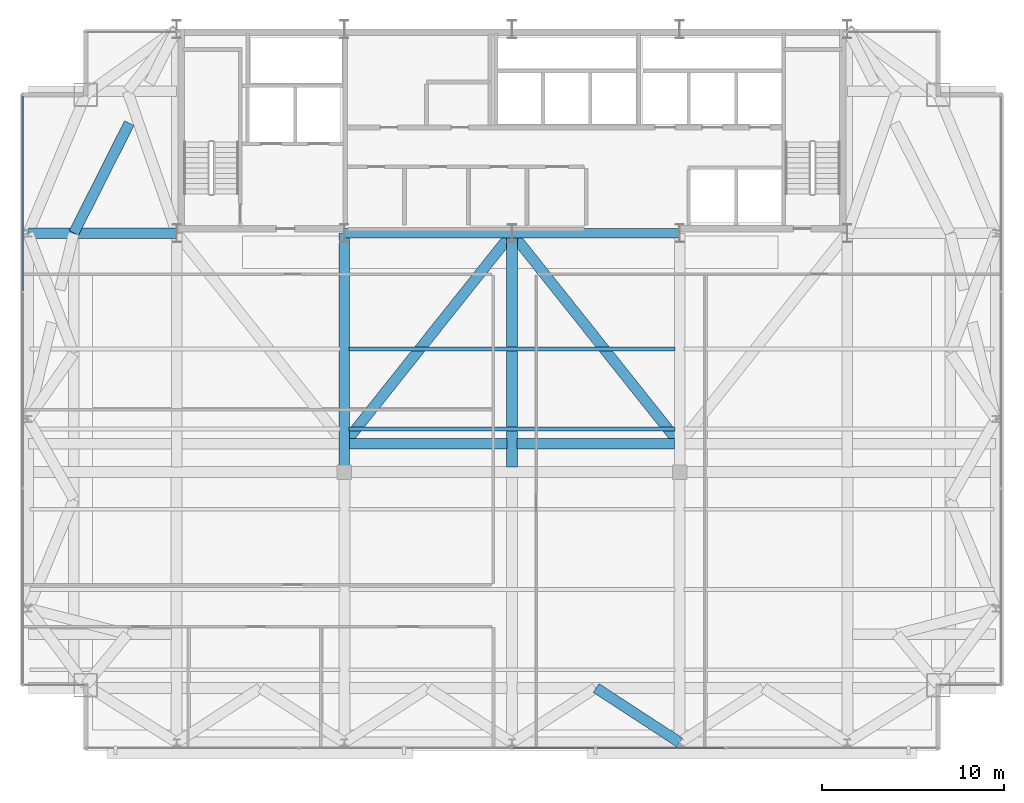
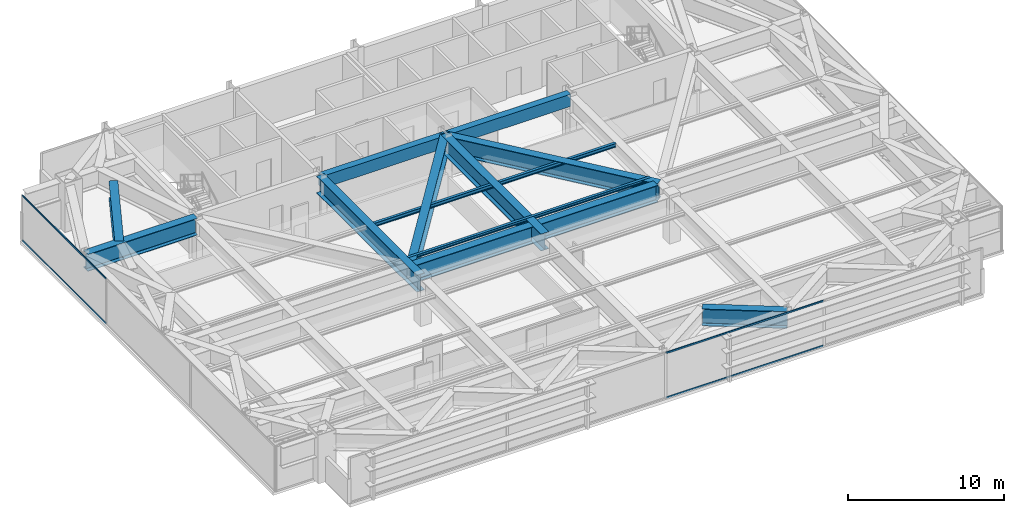
# One storey, part 12 of 26: 13 beams, 4 members, 2 elements without a shape of their own.
"""IFC4 building model written with IfcOpenShell, lengths in metres."""

from ifc_helpers import new_model, si_unit, direction, frame, origin, origin_2d, place, context, subcontext, project, spatial, rectangle, hollow_rectangle, i_section, extrude, source, transform, mapped, material, layer, layer_set, material_profile, profile_set, type_object, type_shapes, element, aggregate, save


model = new_model("IFC4")

# Units and contexts
model_context = context("Model", 3, precision=1e-05, world=origin(), true_north=direction((0.0, 1.0)))
body_context = subcontext(model_context, "Body", "Model", "MODEL_VIEW")
ifc_project = project(units=[si_unit("LENGTHUNIT", "METRE"), si_unit("AREAUNIT", "SQUARE_METRE"), si_unit("VOLUMEUNIT", "CUBIC_METRE"), si_unit("PLANEANGLEUNIT", "RADIAN"), si_unit("MASSUNIT", "GRAM", prefix="KILO")], contexts=[model_context])

# Site, building, storey
site_placement = place(None, origin())
site = spatial("IfcSite", under=ifc_project, at=site_placement, CompositionType="ELEMENT")
building_placement = place(site_placement, origin())
building = spatial("IfcBuilding", under=site, at=building_placement, Name="Varnel Quay Broadcast Tower", CompositionType="ELEMENT")
storey_placement = place(building_placement, frame((0.0, 0.0, 196.0)))
storey = spatial("IfcBuildingStorey", under=building, at=storey_placement, Name="L48", CompositionType="ELEMENT", Elevation=196.0)

# Beams
ifc_material_1 = material(Name="Structural Steel CSA G40.21 350WT", Category="steel")
ifc_material_profile_1 = material_profile(ifc_material_1, i_section(OverallWidth=0.580078125, OverallDepth=1.330078125, WebThickness=0.02197265625, FlangeThickness=0.0380859375, FilletRadius=0.02001953125, at=origin_2d()), Name="WWF1330X535")
ifc_profile_set_1 = profile_set([ifc_material_profile_1], Name="Structural Steel CSA G40.21 350WT")
beam_type_1 = type_object("IfcBeamType", Name="Girder_WWF1330X535", PredefinedType="BEAM", material=ifc_profile_set_1)
shared_shape_1 = source(origin(), body_context, "Body", "SweptSolid", [
    extrude(i_section(OverallWidth=0.580078125, OverallDepth=1.330078125, WebThickness=0.02197265625, FlangeThickness=0.0380859375, FilletRadius=0.02001953125, at=origin_2d()), origin(), (0.0, 0.0, 1.0), 8.630126953125),
])
for number, where, z_axis, x_axis, name in (
    (1, (25.0849609375, 24.050048828125, 2.885009765625), (1.0, 0.0, 0.0), (0.0, 1.0, 0.0), "L48 Setback Interior Column Transfer 3"),
    (2, (34.284912109375, 24.050048828125, 2.885009765625), (1.0, 0.0, 0.0), (0.0, 1.0, 0.0), "L48 Setback Interior Column Transfer 4"),
):
    element("IfcBeam", number, at=place(storey_placement, frame(where, z_axis=z_axis, x_axis=x_axis)), inside=storey, type_object=beam_type_1, Name=name, PredefinedType="BEAM", context=body_context, shape_type="MappedRepresentation", body=[
        mapped(shared_shape_1, transform((0.0, 0.0, 0.0), x_axis=(1.0, 0.0, 0.0), y_axis=(0.0, 1.0, 0.0), z_axis=(0.0, 0.0, 1.0), scale=1.0)),
    ])
ifc_material_2 = material(Name="Structural Steel CSA G40.21 350W", Category="steel")
ifc_material_profile_2 = material_profile(ifc_material_2, i_section(OverallWidth=0.202880859375, OverallDepth=0.302978515625, WebThickness=0.007568359375, FlangeThickness=0.01318359375, FilletRadius=0.011962890625, at=origin_2d()), Name="W310X60")
ifc_profile_set_2 = profile_set([ifc_material_profile_2], Name="Structural Steel CSA G40.21 350W")
beam_type_2 = type_object("IfcBeamType", Name="Beam_W310X60", PredefinedType="JOIST", material=ifc_profile_set_2)
shared_shape_2 = source(origin(), body_context, "Body", "SweptSolid", [
    extrude(i_section(OverallWidth=0.202880859375, OverallDepth=0.302978515625, WebThickness=0.007568359375, FlangeThickness=0.01318359375, FilletRadius=0.011962890625, at=origin_2d()), origin(), (0.0, 0.0, 1.0), 17.91015625),
])
type_shapes(beam_type_2, [shared_shape_2])
beam_1_placement = place(storey_placement, frame((25.044921875, 29.25, 3.3984375), z_axis=(1.0, 0.0, 0.0), x_axis=(0.0, 1.0, 0.0)))
element("IfcBeam", 3, at=beam_1_placement, inside=storey, type_object=beam_type_2, Name="L48 Central Floor Joist 5", PredefinedType="JOIST", context=body_context, shape_type="MappedRepresentation", body=[
    mapped(shared_shape_2, transform((0.0, 0.0, 0.0), x_axis=(1.0, 0.0, 0.0), y_axis=(0.0, 1.0, 0.0), z_axis=(0.0, 0.0, 1.0), scale=1.0)),
])
ifc_material_profile_3 = material_profile(ifc_material_2, i_section(OverallWidth=0.201904296875, OverallDepth=0.2470703125, WebThickness=0.00732421875, FlangeThickness=0.010986328125, FilletRadius=0.010986328125, at=origin_2d()), Name="W250X49")
ifc_profile_set_3 = profile_set([ifc_material_profile_3], Name="Structural Steel CSA G40.21 350W")
beam_type_3 = type_object("IfcBeamType", Name="Beam_W250X49", PredefinedType="JOIST", material=ifc_profile_set_3)
shared_shape_3 = source(origin(), body_context, "Body", "SweptSolid", [
    extrude(i_section(OverallWidth=0.201904296875, OverallDepth=0.2470703125, WebThickness=0.00732421875, FlangeThickness=0.010986328125, FilletRadius=0.010986328125, at=origin_2d()), origin(), (0.0, 0.0, 1.0), 17.91015625),
])
type_shapes(beam_type_3, [shared_shape_3])
beam_2_placement = place(storey_placement, frame((25.044921875, 24.85009765625, 3.426513671875), z_axis=(1.0, 0.0, 0.0), x_axis=(0.0, 1.0, 0.0)))
element("IfcBeam", 4, at=beam_2_placement, inside=storey, type_object=beam_type_3, Name="L48 Central Floor Joist 4", PredefinedType="JOIST", context=body_context, shape_type="MappedRepresentation", body=[
    mapped(shared_shape_3, transform((0.0, 0.0, 0.0), x_axis=(1.0, 0.0, 0.0), y_axis=(0.0, 1.0, 0.0), z_axis=(0.0, 0.0, 1.0), scale=1.0)),
])
ifc_material_3 = material(Name="Concrete CSA A23.3 C50/60", Category="concrete")
ifc_material_profile_4 = material_profile(ifc_material_3, rectangle(XDim=0.5, YDim=0.949951171875, at=origin_2d()), Name="RC500X950")
ifc_profile_set_4 = profile_set([ifc_material_profile_4], Name="Concrete CSA A23.3 C50/60")
beam_type_4 = type_object("IfcBeamType", Name="Beam_RC500X950", PredefinedType="BEAM", material=ifc_profile_set_4)
shared_shape_4 = source(origin(), body_context, "Body", "SweptSolid", [
    extrude(rectangle(XDim=0.5, YDim=0.949951171875, at=origin_2d()), origin(), (0.0, 0.0, 1.0), 9.159912109375),
])
type_shapes(beam_type_4, [shared_shape_4])
for number, where, z_axis, x_axis, name in (
    (5, (24.820068359375, 35.60009765625, 3.074951171875), (1.0, 0.0, 0.0), (0.0, 1.0, 0.0), "L48 Core Coupling Beam W"),
    (6, (34.02001953125, 35.60009765625, 3.074951171875), (1.0, 0.0, 0.0), (0.0, 1.0, 0.0), "L48 Core Coupling Beam E"),
):
    element("IfcBeam", number, at=place(storey_placement, frame(where, z_axis=z_axis, x_axis=x_axis)), inside=storey, type_object=beam_type_4, Name=name, PredefinedType="BEAM", context=body_context, shape_type="MappedRepresentation", body=[
        mapped(shared_shape_4, transform((0.0, 0.0, 0.0), x_axis=(1.0, 0.0, 0.0), y_axis=(0.0, 1.0, 0.0), z_axis=(0.0, 0.0, 1.0), scale=1.0)),
    ])
shared_shape_5 = source(origin(), body_context, "Body", "SweptSolid", [
    extrude(i_section(OverallWidth=0.580078125, OverallDepth=1.330078125, WebThickness=0.02197265625, FlangeThickness=0.0380859375, FilletRadius=0.02001953125, at=origin_2d()), origin(), (0.0, 0.0, 1.0), 8.110107421875),
])
beam_3_placement = place(storey_placement, frame((7.469970703125, 35.60009765625, 2.885009765625), z_axis=(1.0, 0.0, 0.0), x_axis=(0.0, 1.0, 0.0)))
element("IfcBeam", 7, at=beam_3_placement, inside=storey, type_object=beam_type_1, Name="L48 West Core Tie Transfer", PredefinedType="BEAM", context=body_context, shape_type="MappedRepresentation", body=[
    mapped(shared_shape_5, transform((0.0, 0.0, 0.0), x_axis=(1.0, 0.0, 0.0), y_axis=(0.0, 1.0, 0.0), z_axis=(0.0, 0.0, 1.0), scale=1.0)),
])
shared_shape_6 = source(origin(), body_context, "Body", "SweptSolid", [
    extrude(i_section(OverallWidth=0.580078125, OverallDepth=1.330078125, WebThickness=0.02197265625, FlangeThickness=0.0380859375, FilletRadius=0.02001953125, at=origin_2d()), origin(), (0.0, 0.0, 1.0), 12.80517578125),
])
for number, where, z_axis, x_axis, name in (
    (8, (24.800048828125, 22.77490234375, 2.885009765625), (0.0, 1.0, 0.0), (-1.0, 0.0, 0.0), "L48 N-S Transfer Girder 2B"),
    (9, (34.0, 22.77490234375, 2.885009765625), (0.0, 1.0, 0.0), (-1.0, 0.0, 0.0), "L48 N-S Transfer Girder 3B"),
):
    element("IfcBeam", number, at=place(storey_placement, frame(where, z_axis=z_axis, x_axis=x_axis)), inside=storey, type_object=beam_type_1, Name=name, PredefinedType="BEAM", context=body_context, shape_type="MappedRepresentation", body=[
        mapped(shared_shape_6, transform((0.0, 0.0, 0.0), x_axis=(1.0, 0.0, 0.0), y_axis=(0.0, 1.0, 0.0), z_axis=(0.0, 0.0, 1.0), scale=1.0)),
    ])
shared_shape_7 = source(origin(), body_context, "Body", "SweptSolid", [
    extrude(i_section(OverallWidth=0.580078125, OverallDepth=1.330078125, WebThickness=0.02197265625, FlangeThickness=0.0380859375, FilletRadius=0.02001953125, at=origin_2d()), origin(), (0.0, 0.0, 1.0), 5.451904296875),
])
beam_4_placement = place(storey_placement, frame((43.18310546875, 7.660888671875, 2.885009765625), z_axis=(-0.837595451539, 0.546291002637, 0.0), x_axis=(-0.546291002637, -0.837595451539, 0.0)))
element("IfcBeam", 10, at=beam_4_placement, inside=storey, type_object=beam_type_1, Name="L48 Nodal Transfer Tie TC-S3-TC-S4", PredefinedType="BEAM", context=body_context, shape_type="MappedRepresentation", body=[
    mapped(shared_shape_7, transform((0.0, 0.0, 0.0), x_axis=(1.0, 0.0, 0.0), y_axis=(0.0, 1.0, 0.0), z_axis=(0.0, 0.0, 1.0), scale=1.0)),
])
shared_shape_8 = source(origin(), body_context, "Body", "SweptSolid", [
    extrude(i_section(OverallWidth=0.580078125, OverallDepth=1.330078125, WebThickness=0.02197265625, FlangeThickness=0.0380859375, FilletRadius=0.02001953125, at=origin_2d()), origin(), (0.0, 0.0, 1.0), 14.726318359375),
])
for number, where, z_axis, x_axis, name in (
    (11, (33.987548828125, 35.58447265625, 2.885009765625), (-0.623037811648, -0.78219171899, 0.0), (0.78219171899, -0.623037811648, 0.0), "L48 Nodal Transfer Tie IC-01-CC-S3"),
    (12, (34.012451171875, 35.58447265625, 2.885009765625), (0.623037811648, -0.78219171899, 0.0), (0.78219171899, 0.623037811648, 0.0), "L48 Nodal Transfer Tie IC-02-CC-S3"),
):
    element("IfcBeam", number, at=place(storey_placement, frame(where, z_axis=z_axis, x_axis=x_axis)), inside=storey, type_object=beam_type_1, Name=name, PredefinedType="BEAM", context=body_context, shape_type="MappedRepresentation", body=[
        mapped(shared_shape_8, transform((0.0, 0.0, 0.0), x_axis=(1.0, 0.0, 0.0), y_axis=(0.0, 1.0, 0.0), z_axis=(0.0, 0.0, 1.0), scale=1.0)),
    ])
shared_shape_9 = source(origin(), body_context, "Body", "SweptSolid", [
    extrude(i_section(OverallWidth=0.580078125, OverallDepth=1.330078125, WebThickness=0.02197265625, FlangeThickness=0.0380859375, FilletRadius=0.02001953125, at=origin_2d()), origin(), (0.0, 0.0, 1.0), 6.74072265625),
])
type_shapes(beam_type_1, [shared_shape_1, shared_shape_5, shared_shape_6, shared_shape_7, shared_shape_8, shared_shape_9])
beam_5_placement = place(storey_placement, frame((12.9951171875, 41.63623046875, 2.885009765625), z_axis=(-0.450412439792, -0.892820605766, 0.0), x_axis=(0.892820605766, -0.450412439792, 0.0)))
element("IfcBeam", 13, at=beam_5_placement, inside=storey, type_object=beam_type_1, Name="L48 X-Braced Transfer Tie TC-W3-CC-N1 Part 2", PredefinedType="BEAM", context=body_context, shape_type="MappedRepresentation", body=[
    mapped(shared_shape_9, transform((0.0, 0.0, 0.0), x_axis=(1.0, 0.0, 0.0), y_axis=(0.0, 1.0, 0.0), z_axis=(0.0, 0.0, 1.0), scale=1.0)),
])

# Curtain wall, members
ifc_material_4 = material(Name="Anodised Bronze Aluminium 6063-T6", Category="aluminium")
ifc_layer = layer(ifc_material_4, 0.18994140625, Name="Anodised Bronze Aluminium 6063-T6")
ifc_layer_set = layer_set([ifc_layer], Name="Anodised Bronze Aluminium 6063-T6")
curtain_wall_type = type_object("IfcCurtainWallType", Name="CW_UpperTower", PredefinedType="NOTDEFINED", material=ifc_layer_set)
curtain_wall_1_placement = place(storey_placement, origin())
curtain_wall_1 = element("IfcCurtainWall", 14, at=curtain_wall_1_placement, inside=storey, type_object=curtain_wall_type, Name="L48 West Unitised Curtain Wall", PredefinedType="NOTDEFINED")
ifc_material_profile_5 = material_profile(ifc_material_4, hollow_rectangle(XDim=0.06005859375, YDim=0.125, WallThickness=0.0029296875, at=origin_2d()), Name="ALU60X125X3")
ifc_profile_set_5 = profile_set([ifc_material_profile_5], Name="Anodised Bronze Aluminium 6063-T6")
member_type = type_object("IfcMemberType", Name="Tran_CWS-03", PredefinedType="USERDEFINED", material=ifc_profile_set_5)
shared_shape_10 = source(origin(), body_context, "Body", "SweptSolid", [
    extrude(hollow_rectangle(XDim=0.06005859375, YDim=0.125, WallThickness=0.0029296875, at=origin_2d()), origin(), (0.0, 0.0, 1.0), 10.702392578125),
])
member_1_placement = place(storey_placement, frame((7.14990234375, 32.4326171875, 0.030029296875), z_axis=(0.0, 1.0, 0.0), x_axis=(-1.0, 0.0, 0.0)))
member_1 = element("IfcMember", 15, at=member_1_placement, type_object=member_type, Name="CWS-03 transom 3.1", ObjectType="TRANSOM", PredefinedType="USERDEFINED", context=body_context, shape_type="MappedRepresentation", body=[
    mapped(shared_shape_10, transform((0.0, 0.0, 0.0), x_axis=(1.0, 0.0, 0.0), y_axis=(0.0, 1.0, 0.0), z_axis=(0.0, 0.0, 1.0), scale=1.0)),
])
member_2_placement = place(storey_placement, frame((7.14990234375, 32.4326171875, 3.52001953125), z_axis=(0.0, 1.0, 0.0), x_axis=(-1.0, 0.0, 0.0)))
member_2 = element("IfcMember", 16, at=member_2_placement, type_object=member_type, Name="CWS-03 transom 3.2", ObjectType="TRANSOM", PredefinedType="USERDEFINED", context=body_context, shape_type="MappedRepresentation", body=[
    mapped(shared_shape_10, transform((0.0, 0.0, 0.0), x_axis=(1.0, 0.0, 0.0), y_axis=(0.0, 1.0, 0.0), z_axis=(0.0, 0.0, 1.0), scale=1.0)),
])
aggregate(curtain_wall_1, [member_1, member_2])

curtain_wall_2_placement = place(storey_placement, origin())
curtain_wall_2 = element("IfcCurtainWall", 17, at=curtain_wall_2_placement, inside=storey, type_object=curtain_wall_type, Name="L48 South Unitised Curtain Wall 1", PredefinedType="NOTDEFINED")
shared_shape_11 = source(origin(), body_context, "Body", "SweptSolid", [
    extrude(hollow_rectangle(XDim=0.06005859375, YDim=0.125, WallThickness=0.0029296875, at=origin_2d()), origin(), (0.0, 0.0, 1.0), 11.635009765625),
])
type_shapes(member_type, [shared_shape_10, shared_shape_11])
member_3_placement = place(storey_placement, frame((34.032470703125, 7.35009765625, 0.030029296875), z_axis=(1.0, 0.0, 0.0), x_axis=(0.0, 1.0, 0.0)))
member_3 = element("IfcMember", 18, at=member_3_placement, type_object=member_type, Name="CWS-03 transom 3.1", ObjectType="TRANSOM", PredefinedType="USERDEFINED", context=body_context, shape_type="MappedRepresentation", body=[
    mapped(shared_shape_11, transform((0.0, 0.0, 0.0), x_axis=(1.0, 0.0, 0.0), y_axis=(0.0, 1.0, 0.0), z_axis=(0.0, 0.0, 1.0), scale=1.0)),
])
member_4_placement = place(storey_placement, frame((34.032470703125, 7.35009765625, 3.52001953125), z_axis=(1.0, 0.0, 0.0), x_axis=(0.0, 1.0, 0.0)))
member_4 = element("IfcMember", 19, at=member_4_placement, type_object=member_type, Name="CWS-03 transom 3.2", ObjectType="TRANSOM", PredefinedType="USERDEFINED", context=body_context, shape_type="MappedRepresentation", body=[
    mapped(shared_shape_11, transform((0.0, 0.0, 0.0), x_axis=(1.0, 0.0, 0.0), y_axis=(0.0, 1.0, 0.0), z_axis=(0.0, 0.0, 1.0), scale=1.0)),
])
aggregate(curtain_wall_2, [member_3, member_4])

save(model, "model.ifc")
